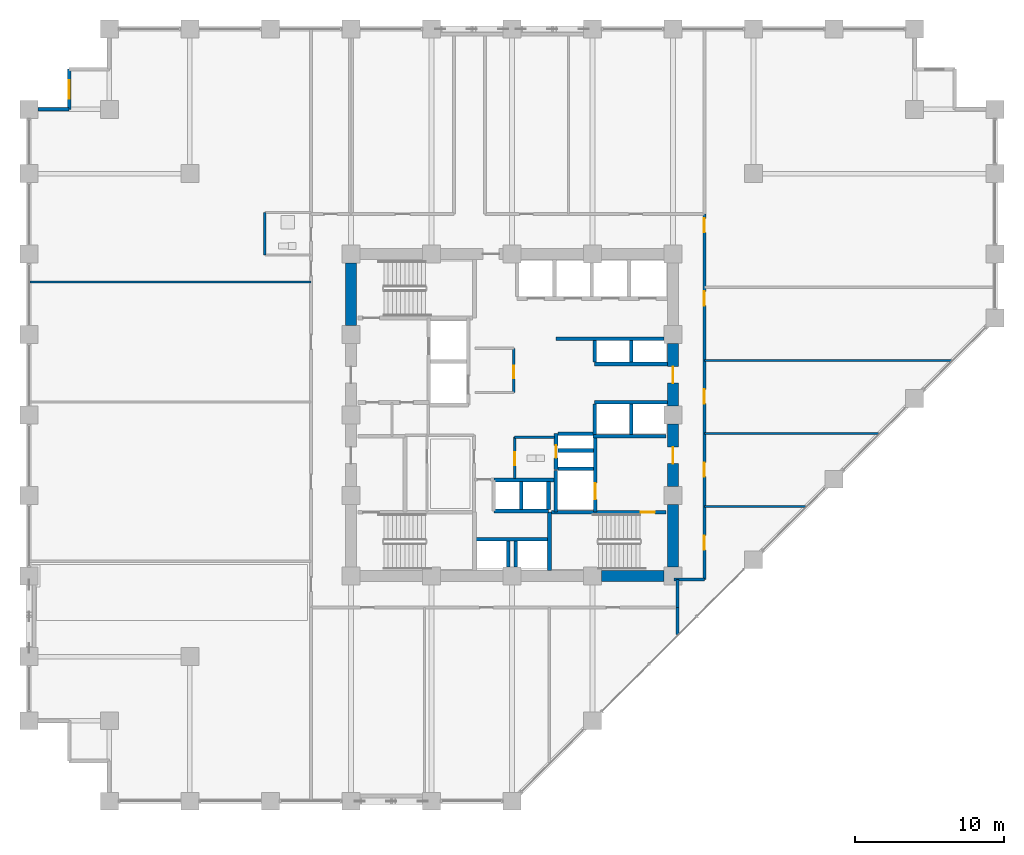
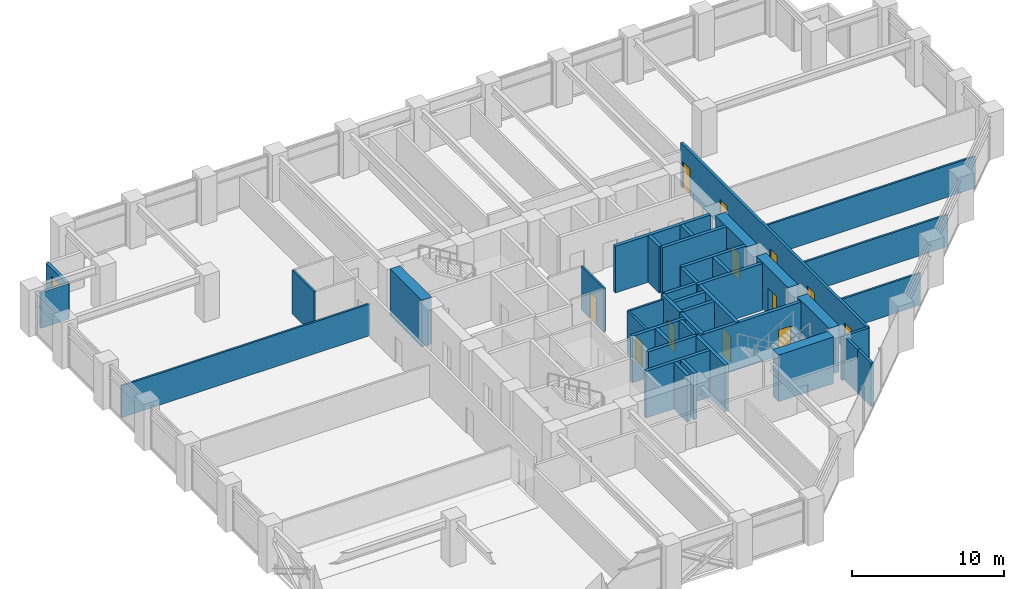
# One storey, part 21 of 26: 42 walls, 12 doors, 1 window, 13 openings.
"""IFC4 building model written with IfcOpenShell, lengths in metres."""

from ifc_helpers import new_model, si_unit, direction, frame, frame_2d, origin, place, context, subcontext, project, spatial, rectangle, extrude, material, layer, layer_set, type_object, element, fill, save


model = new_model("IFC4")

# Units and contexts
model_context = context("Model", 3, precision=1e-05, world=origin(), true_north=direction((0.0, 1.0)))
body_context = subcontext(model_context, "Body", "Model", "MODEL_VIEW")
ifc_project = project(units=[si_unit("LENGTHUNIT", "METRE"), si_unit("AREAUNIT", "SQUARE_METRE"), si_unit("VOLUMEUNIT", "CUBIC_METRE"), si_unit("PLANEANGLEUNIT", "RADIAN"), si_unit("MASSUNIT", "GRAM", prefix="KILO")], contexts=[model_context])

# Site, building, storey
site_placement = place(None, origin())
site = spatial("IfcSite", under=ifc_project, at=site_placement, CompositionType="ELEMENT")
building_placement = place(site_placement, origin())
building = spatial("IfcBuilding", under=site, at=building_placement, Name="Surkhivell Harbour Commons", CompositionType="ELEMENT")
storey_placement = place(building_placement, frame((0.0, 0.0, 75.0)))
storey = spatial("IfcBuildingStorey", under=building, at=storey_placement, Name="L19", CompositionType="ELEMENT", Elevation=75.0)

# Wall
ifc_material_1 = material(Name="Concrete C60/75", Category="concrete")
ifc_layer_1 = layer(ifc_material_1, 0.75)
ifc_layer_set_1 = layer_set([ifc_layer_1], Name="Concrete C60/75")
wall_type_1 = type_object("IfcWallType", Name="WAL-CORE-750", PredefinedType="SHEAR", material=ifc_layer_set_1)
wall_1_placement = place(storey_placement, frame((10.800048828125, -10.18994140625, 0.0), z_axis=(0.0, 0.0, 1.0), x_axis=(0.0, 1.0, 0.0)))
element("IfcWall", 1, at=wall_1_placement, inside=storey, type_object=wall_type_1, Name="L19 Core Shear Wall East 1", PredefinedType="SHEAR", context=body_context, shape_type="SweptSolid", body=[
    extrude(rectangle(XDim=4.179931640625, YDim=0.75, at=frame_2d((2.08984375, 0.0))), origin(), (0.0, 0.0, 1.0), 3.75),
])

# Wall, opening, door
wall_2_placement = place(storey_placement, frame((10.800048828125, -4.7900390625, 0.0), z_axis=(0.0, 0.0, 1.0), x_axis=(0.0, 1.0, 0.0)))
wall_2 = element("IfcWall", 2, at=wall_2_placement, inside=storey, type_object=wall_type_1, Name="L19 Core Shear Wall East 2", PredefinedType="SHEAR", context=body_context, shape_type="SweptSolid", body=[
    extrude(rectangle(XDim=4.179931640625, YDim=0.75, at=frame_2d((2.08984375, 0.0))), origin(), (0.0, 0.0, 1.0), 3.75),
])
opening_1_placement = place(wall_2_placement, frame((1.5400390625, 0.0, 0.0)))
opening_1 = element("IfcOpeningElement", 3, at=opening_1_placement, cuts=wall_2, Name="Opening ID-1", PredefinedType="OPENING", context=body_context, shape_type="SweptSolid", body=[
    extrude(rectangle(XDim=1.10009765625, YDim=2.10009765625, at=frame_2d((0.550048828125, 1.050048828125))), frame((0.0, 0.385009765625, 0.0), z_axis=(0.0, -1.0, 0.0), x_axis=(1.0, 0.0, 0.0)), (0.0, 0.0, 1.0), 0.77001953125),
])
ifc_material_2 = material(Name="Hardwood-veneered fire-rated door leaf", Category="wood")
door_type_1 = type_object("IfcDoorType", Name="DOR-FD120-1100", OperationType="NOTDEFINED", PredefinedType="DOOR", material=ifc_material_2)
door_1_placement = place(opening_1_placement, origin())
door_1 = element("IfcDoor", 4, at=door_1_placement, inside=storey, type_object=door_type_1, Name="L19 Firefighting Lobby 2 Corridor Door", OperationType="SINGLE_SWING_RIGHT", OverallHeight=2.10009765625, OverallWidth=1.10009765625, PredefinedType="DOOR", context=body_context, shape_type="SweptSolid", body=[
    extrude(rectangle(XDim=1.10009765625, YDim=2.10009765625, at=frame_2d((0.550048828125, 1.050048828125))), frame((0.0, 0.02490234375, 0.0), z_axis=(0.0, -1.0, 0.0), x_axis=(1.0, 0.0, 0.0)), (0.0, 0.0, 1.0), 0.050048828125),
])
fill(opening_1, door_1)

wall_3_placement = place(storey_placement, frame((10.800048828125, 0.610107421875, 0.0), z_axis=(0.0, 0.0, 1.0), x_axis=(0.0, 1.0, 0.0)))
wall_3 = element("IfcWall", 5, at=wall_3_placement, inside=storey, type_object=wall_type_1, Name="L19 Core Shear Wall East 3", PredefinedType="SHEAR", context=body_context, shape_type="SweptSolid", body=[
    extrude(rectangle(XDim=4.179931640625, YDim=0.75, at=frame_2d((2.08984375, 0.0))), origin(), (0.0, 0.0, 1.0), 3.75),
])
opening_2_placement = place(wall_3_placement, frame((1.5400390625, 0.0, 0.0)))
opening_2 = element("IfcOpeningElement", 6, at=opening_2_placement, cuts=wall_3, Name="Opening ID-2", PredefinedType="OPENING", context=body_context, shape_type="SweptSolid", body=[
    extrude(rectangle(XDim=1.10009765625, YDim=2.10009765625, at=frame_2d((0.550048828125, 1.050048828125))), frame((0.0, 0.385009765625, 0.0), z_axis=(0.0, -1.0, 0.0), x_axis=(1.0, 0.0, 0.0)), (0.0, 0.0, 1.0), 0.77001953125),
])
door_type_2 = type_object("IfcDoorType", Name="DOR-FD60-1100", OperationType="NOTDEFINED", PredefinedType="DOOR", material=ifc_material_2)
door_2_placement = place(opening_2_placement, origin())
door_2 = element("IfcDoor", 7, at=door_2_placement, inside=storey, type_object=door_type_2, Name="L19 Mid-Rise Lobby East Door", OperationType="SINGLE_SWING_LEFT", OverallHeight=2.10009765625, OverallWidth=1.10009765625, PredefinedType="DOOR", context=body_context, shape_type="SweptSolid", body=[
    extrude(rectangle(XDim=1.10009765625, YDim=2.10009765625, at=frame_2d((0.550048828125, 1.050048828125))), frame((0.0, 0.02490234375, 0.0), z_axis=(0.0, -1.0, 0.0), x_axis=(1.0, 0.0, 0.0)), (0.0, 0.0, 1.0), 0.050048828125),
])
fill(opening_2, door_2)

# Walls
for number, where, z_axis, x_axis, name in (
    (8, (6.010009765625, -10.800048828125, 0.0), (0.0, 0.0, 1.0), (1.0, 0.0, 0.0), "L19 Core Shear Wall South 4"),
    (9, (-10.800048828125, 6.010009765625, 0.0), (0.0, 0.0, 1.0), (0.0, 1.0, 0.0), "L19 Core Shear Wall West 4"),
):
    element("IfcWall", number, at=place(storey_placement, frame(where, z_axis=z_axis, x_axis=x_axis)), inside=storey, type_object=wall_type_1, Name=name, PredefinedType="SHEAR", context=body_context, shape_type="SweptSolid", body=[
        extrude(rectangle(XDim=4.179931640625, YDim=0.75, at=frame_2d((2.08984375, 0.0))), origin(), (0.0, 0.0, 1.0), 3.75),
    ])

# Wall, opening, window
ifc_material_3 = material(Name="Bronze-ochre cassette precast concrete C45/55", Category="concrete")
ifc_layer_2 = layer(ifc_material_3, 0.239990234375)
ifc_layer_set_2 = layer_set([ifc_layer_2], Name="Bronze-ochre cassette precast concrete C45/55")
wall_type_2 = type_object("IfcWallType", Name="WAL-EXT-OCH240", PredefinedType="STANDARD", material=ifc_layer_set_2)
wall_4_placement = place(storey_placement, frame((-29.699951171875, 23.199951171875, 0.0), z_axis=(0.0, 0.0, 1.0), x_axis=(0.0, -1.0, 0.0)))
wall_4 = element("IfcWall", 10, at=wall_4_placement, inside=storey, type_object=wall_type_2, Name="L19 Serrated Corner Facade Wall 10", PredefinedType="STANDARD", context=body_context, shape_type="SweptSolid", body=[
    extrude(rectangle(XDim=2.699951171875, YDim=0.239990234375, at=frame_2d((1.35009765625, 0.0))), origin(), (0.0, 0.0, 1.0), 2.860107421875),
])
opening_3_placement = place(wall_4_placement, frame((0.72509765625, 0.0, 0.64990234375)))
opening_3 = element("IfcOpeningElement", 11, at=opening_3_placement, cuts=wall_4, Name="Opening WN-09", PredefinedType="OPENING", context=body_context, shape_type="SweptSolid", body=[
    extrude(rectangle(XDim=1.25, YDim=1.60009765625, at=frame_2d((0.625, 0.800048828125))), frame((0.0, 0.1298828125, 0.0), z_axis=(0.0, -1.0, 0.0), x_axis=(1.0, 0.0, 0.0)), (0.0, 0.0, 1.0), 0.260009765625),
])
ifc_material_4 = material(Name="Thermal-break aluminium frame and double low-E glazing", Category="aluminium")
window_type = type_object("IfcWindowType", Name="WIN-SER-1250x1600", PartitioningType="SINGLE_PANEL", PredefinedType="WINDOW", material=ifc_material_4)
window_placement = place(opening_3_placement, origin())
window = element("IfcWindow", 12, at=window_placement, inside=storey, type_object=window_type, Name="L19 Serrated Alcove Window 10", OverallHeight=1.60009765625, OverallWidth=1.25, PartitioningType="SINGLE_PANEL", PredefinedType="WINDOW", context=body_context, shape_type="SweptSolid", body=[
    extrude(rectangle(XDim=1.25, YDim=1.60009765625, at=frame_2d((0.625, 0.800048828125))), frame((0.0, 0.030029296875, 0.0), z_axis=(0.0, -1.0, 0.0), x_axis=(1.0, 0.0, 0.0)), (0.0, 0.0, 1.0), 0.06005859375),
])
fill(opening_3, window)

# Walls
wall_5_placement = place(storey_placement, frame((-29.699951171875, 20.5, 0.0), z_axis=(0.0, 0.0, 1.0), x_axis=(-1.0, 0.0, 0.0)))
element("IfcWall", 13, at=wall_5_placement, inside=storey, type_object=wall_type_2, Name="L19 Serrated Corner Facade Wall 11", PredefinedType="STANDARD", context=body_context, shape_type="SweptSolid", body=[
    extrude(rectangle(XDim=2.10205078125, YDim=0.239990234375, at=frame_2d((1.051025390625, 0.0))), origin(), (0.0, 0.0, 1.0), 2.860107421875),
])
ifc_material_5 = material(Name="Twin-stud acoustic fireboard partition", Category="other")
ifc_layer_3 = layer(ifc_material_5, 0.14990234375)
ifc_layer_set_3 = layer_set([ifc_layer_3], Name="Twin-stud acoustic fireboard partition")
wall_type_3 = type_object("IfcWallType", Name="WAL-INT-150", PredefinedType="PARTITIONING", material=ifc_layer_set_3)
wall_6_placement = place(storey_placement, frame((0.179931640625, -1.47998046875, 0.0), z_axis=(0.0, 0.0, 1.0), x_axis=(1.0, 0.0, 0.0)))
element("IfcWall", 14, at=wall_6_placement, inside=storey, type_object=wall_type_3, Name="L19 Core Accessible WC North Wall", PredefinedType="PARTITIONING", context=body_context, shape_type="SweptSolid", body=[
    extrude(rectangle(XDim=2.670166015625, YDim=0.14990234375, at=frame_2d((1.3349609375, 0.0))), origin(), (0.0, 0.0, 1.0), 3.5),
])

# Wall, opening, door
wall_7_placement = place(storey_placement, frame((0.179931640625, -4.25, 0.0), z_axis=(0.0, 0.0, 1.0), x_axis=(0.0, 1.0, 0.0)))
wall_7 = element("IfcWall", 15, at=wall_7_placement, inside=storey, type_object=wall_type_3, Name="L19 Core Accessible WC West Wall", PredefinedType="PARTITIONING", context=body_context, shape_type="SweptSolid", body=[
    extrude(rectangle(XDim=2.77001953125, YDim=0.14990234375, at=frame_2d((1.385009765625, 0.0))), origin(), (0.0, 0.0, 1.0), 3.5),
])
opening_4_placement = place(wall_7_placement, frame((0.89990234375, 0.0, 0.0)))
opening_4 = element("IfcOpeningElement", 16, at=opening_4_placement, cuts=wall_7, Name="Opening ID-6", PredefinedType="OPENING", context=body_context, shape_type="SweptSolid", body=[
    extrude(rectangle(XDim=0.85009765625, YDim=2.10009765625, at=frame_2d((0.425048828125, 1.050048828125))), frame((0.0, 0.0849609375, 0.0), z_axis=(0.0, -1.0, 0.0), x_axis=(1.0, 0.0, 0.0)), (0.0, 0.0, 1.0), 0.169921875),
])
door_type_3 = type_object("IfcDoorType", Name="DOR-FD30-850", OperationType="NOTDEFINED", PredefinedType="DOOR", material=ifc_material_2)
door_3_placement = place(opening_4_placement, origin())
door_3 = element("IfcDoor", 17, at=door_3_placement, inside=storey, type_object=door_type_3, Name="L19 Floor Accessible WC Door", OperationType="SINGLE_SWING_LEFT", OverallHeight=2.10009765625, OverallWidth=0.85009765625, PredefinedType="DOOR", context=body_context, shape_type="SweptSolid", body=[
    extrude(rectangle(XDim=0.85009765625, YDim=2.10009765625, at=frame_2d((0.425048828125, 1.050048828125))), frame((0.0, 0.02490234375, 0.0), z_axis=(0.0, -1.0, 0.0), x_axis=(1.0, 0.0, 0.0)), (0.0, 0.0, 1.0), 0.050048828125),
])
fill(opening_4, door_3)

wall_8_placement = place(storey_placement, frame((0.1201171875, 1.52001953125, 0.0), z_axis=(0.0, 0.0, 1.0), x_axis=(0.0, 1.0, 0.0)))
wall_8 = element("IfcWall", 18, at=wall_8_placement, inside=storey, type_object=wall_type_3, Name="L19 Central Reading East Wall", PredefinedType="PARTITIONING", context=body_context, shape_type="SweptSolid", body=[
    extrude(rectangle(XDim=2.9599609375, YDim=0.14990234375, at=frame_2d((1.47998046875, 0.0))), origin(), (0.0, 0.0, 1.0), 3.5),
])
opening_5_placement = place(wall_8_placement, frame((0.949951171875, 0.0, 0.0)))
opening_5 = element("IfcOpeningElement", 19, at=opening_5_placement, cuts=wall_8, Name="Opening ID-6", PredefinedType="OPENING", context=body_context, shape_type="SweptSolid", body=[
    extrude(rectangle(XDim=0.85009765625, YDim=2.10009765625, at=frame_2d((0.425048828125, 1.050048828125))), frame((0.0, 0.0849609375, 0.0), z_axis=(0.0, -1.0, 0.0), x_axis=(1.0, 0.0, 0.0)), (0.0, 0.0, 1.0), 0.169921875),
])
door_4_placement = place(opening_5_placement, origin())
door_4 = element("IfcDoor", 20, at=door_4_placement, inside=storey, type_object=door_type_3, Name="L19 Central Core Reading Door", OperationType="SINGLE_SWING_RIGHT", OverallHeight=2.10009765625, OverallWidth=0.85009765625, PredefinedType="DOOR", context=body_context, shape_type="SweptSolid", body=[
    extrude(rectangle(XDim=0.85009765625, YDim=2.10009765625, at=frame_2d((0.425048828125, 1.050048828125))), frame((0.0, 0.02490234375, 0.0), z_axis=(0.0, -1.0, 0.0), x_axis=(1.0, 0.0, 0.0)), (0.0, 0.0, 1.0), 0.050048828125),
])
fill(opening_5, door_4)

# Walls
wall_9_placement = place(storey_placement, frame((12.89990234375, -6.139892578125, 0.0), z_axis=(0.0, 0.0, 1.0), x_axis=(1.0, 0.0, 0.0)))
element("IfcWall", 21, at=wall_9_placement, inside=storey, type_object=wall_type_3, Name="L19 East Partition P1", PredefinedType="PARTITIONING", context=body_context, shape_type="SweptSolid", body=[
    extrude(rectangle(XDim=6.775146484375, YDim=0.14990234375, at=frame_2d((3.3876953125, 0.0))), origin(), (0.0, 0.0, 1.0), 2.552978515625),
])
wall_10_placement = place(storey_placement, frame((12.89990234375, -1.22998046875, 0.0), z_axis=(0.0, 0.0, 1.0), x_axis=(1.0, 0.0, 0.0)))
element("IfcWall", 22, at=wall_10_placement, inside=storey, type_object=wall_type_3, Name="L19 East Partition P2", PredefinedType="PARTITIONING", context=body_context, shape_type="SweptSolid", body=[
    extrude(rectangle(XDim=11.685302734375, YDim=0.14990234375, at=frame_2d((5.8427734375, 0.0))), origin(), (0.0, 0.0, 1.0), 2.552978515625),
])
wall_11_placement = place(storey_placement, frame((12.89990234375, 3.669921875, 0.0), z_axis=(0.0, 0.0, 1.0), x_axis=(1.0, 0.0, 0.0)))
element("IfcWall", 23, at=wall_11_placement, inside=storey, type_object=wall_type_3, Name="L19 East Partition P3", PredefinedType="PARTITIONING", context=body_context, shape_type="SweptSolid", body=[
    extrude(rectangle(XDim=16.585205078125, YDim=0.14990234375, at=frame_2d((8.29248046875, 0.0))), origin(), (0.0, 0.0, 1.0), 2.552978515625),
])
wall_12_placement = place(storey_placement, frame((-16.580078125, 10.72998046875, 0.0), z_axis=(0.0, 0.0, 1.0), x_axis=(0.0, 1.0, 0.0)))
element("IfcWall", 24, at=wall_12_placement, inside=storey, type_object=wall_type_3, Name="L19 West Partition BTHB", PredefinedType="PARTITIONING", context=body_context, shape_type="SweptSolid", body=[
    extrude(rectangle(XDim=2.85009765625, YDim=0.14990234375, at=frame_2d((1.425048828125, 0.0))), origin(), (0.0, 0.0, 1.0), 3.5),
])
wall_13_placement = place(storey_placement, frame((-32.340087890625, 8.929931640625, 0.0), z_axis=(0.0, 0.0, 1.0), x_axis=(1.0, 0.0, 0.0)))
element("IfcWall", 25, at=wall_13_placement, inside=storey, type_object=wall_type_3, Name="L19 West Partition PTOP", PredefinedType="PARTITIONING", context=body_context, shape_type="SweptSolid", body=[
    extrude(rectangle(XDim=18.860107421875, YDim=0.14990234375, at=frame_2d((9.43017578125, 0.0))), origin(), (0.0, 0.0, 1.0), 2.552978515625),
])
ifc_material_6 = material(Name="Autoclaved aerated concrete blockwork and fire plaster", Category="masonry")
ifc_layer_4 = layer(ifc_material_6, 0.199951171875)
ifc_layer_set_4 = layer_set([ifc_layer_4], Name="Autoclaved aerated concrete blockwork and fire plaster")
wall_type_4 = type_object("IfcWallType", Name="WAL-INT-200", PredefinedType="PARTITIONING", material=ifc_layer_set_4)
wall_14_placement = place(storey_placement, frame((11.10009765625, -14.715087890625, 0.0), z_axis=(0.0, 0.0, 1.0), x_axis=(0.0, 1.0, 0.0)))
element("IfcWall", 26, at=wall_14_placement, inside=storey, type_object=wall_type_4, Name="L19 South-East Wing Corner Divider", PredefinedType="PARTITIONING", context=body_context, shape_type="SweptSolid", body=[
    extrude(rectangle(XDim=1.815185546875, YDim=0.199951171875, at=frame_2d((0.90771484375, 0.0))), origin(), (0.0, 0.0, 1.0), 3.5),
])

# Wall, openings, doors
wall_15_placement = place(storey_placement, frame((12.89990234375, -11.0400390625, 0.0), z_axis=(0.0, 0.0, 1.0), x_axis=(0.0, 1.0, 0.0)))
wall_15 = element("IfcWall", 27, at=wall_15_placement, inside=storey, type_object=wall_type_4, Name="L19 Corridor East Wall", PredefinedType="PARTITIONING", context=body_context, shape_type="SweptSolid", body=[
    extrude(rectangle(XDim=24.52001953125, YDim=0.199951171875, at=frame_2d((12.260009765625, 0.0))), origin(), (0.0, 0.0, 1.0), 3.5),
])
opening_6_placement = place(wall_15_placement, frame((2.0, 0.0, 0.0)))
opening_6 = element("IfcOpeningElement", 28, at=opening_6_placement, cuts=wall_15, Name="Opening ID-4", PredefinedType="OPENING", context=body_context, shape_type="SweptSolid", body=[
    extrude(rectangle(XDim=0.949951171875, YDim=2.10009765625, at=frame_2d((0.47509765625, 1.050048828125))), frame((0.0, 0.10986328125, 0.0), z_axis=(0.0, -1.0, 0.0), x_axis=(1.0, 0.0, 0.0)), (0.0, 0.0, 1.0), 0.219970703125),
])
opening_7_placement = place(wall_15_placement, frame((6.905029296875, 0.0, 0.0)))
opening_7 = element("IfcOpeningElement", 29, at=opening_7_placement, cuts=wall_15, Name="Opening ID-4", PredefinedType="OPENING", context=body_context, shape_type="SweptSolid", body=[
    extrude(rectangle(XDim=0.949951171875, YDim=2.10009765625, at=frame_2d((0.47509765625, 1.050048828125))), frame((0.0, 0.10986328125, 0.0), z_axis=(0.0, -1.0, 0.0), x_axis=(1.0, 0.0, 0.0)), (0.0, 0.0, 1.0), 0.219970703125),
])
opening_8_placement = place(wall_15_placement, frame((11.81005859375, 0.0, 0.0)))
opening_8 = element("IfcOpeningElement", 30, at=opening_8_placement, cuts=wall_15, Name="Opening ID-4", PredefinedType="OPENING", context=body_context, shape_type="SweptSolid", body=[
    extrude(rectangle(XDim=0.949951171875, YDim=2.10009765625, at=frame_2d((0.47509765625, 1.050048828125))), frame((0.0, 0.10986328125, 0.0), z_axis=(0.0, -1.0, 0.0), x_axis=(1.0, 0.0, 0.0)), (0.0, 0.0, 1.0), 0.219970703125),
])
opening_9_placement = place(wall_15_placement, frame((18.389892578125, 0.0, 0.0)))
opening_9 = element("IfcOpeningElement", 31, at=opening_9_placement, cuts=wall_15, Name="Opening ID-4", PredefinedType="OPENING", context=body_context, shape_type="SweptSolid", body=[
    extrude(rectangle(XDim=0.949951171875, YDim=2.10009765625, at=frame_2d((0.47509765625, 1.050048828125))), frame((0.0, 0.10986328125, 0.0), z_axis=(0.0, -1.0, 0.0), x_axis=(1.0, 0.0, 0.0)), (0.0, 0.0, 1.0), 0.219970703125),
])
opening_10_placement = place(wall_15_placement, frame((23.2900390625, 0.0, 0.0)))
opening_10 = element("IfcOpeningElement", 32, at=opening_10_placement, cuts=wall_15, Name="Opening ID-4", PredefinedType="OPENING", context=body_context, shape_type="SweptSolid", body=[
    extrude(rectangle(XDim=0.949951171875, YDim=2.10009765625, at=frame_2d((0.47509765625, 1.050048828125))), frame((0.0, 0.10986328125, 0.0), z_axis=(0.0, -1.0, 0.0), x_axis=(1.0, 0.0, 0.0)), (0.0, 0.0, 1.0), 0.219970703125),
])
door_type_4 = type_object("IfcDoorType", Name="DOR-FD60-950", OperationType="NOTDEFINED", PredefinedType="DOOR", material=ifc_material_2)
door_5_placement = place(opening_6_placement, origin())
door_5 = element("IfcDoor", 33, at=door_5_placement, inside=storey, type_object=door_type_4, Name="L19 Co-Working Study Office Pod 1 East Door", OperationType="SINGLE_SWING_RIGHT", OverallHeight=2.10009765625, OverallWidth=0.949951171875, PredefinedType="DOOR", context=body_context, shape_type="SweptSolid", body=[
    extrude(rectangle(XDim=0.949951171875, YDim=2.10009765625, at=frame_2d((0.47509765625, 1.050048828125))), frame((0.0, 0.02490234375, 0.0), z_axis=(0.0, -1.0, 0.0), x_axis=(1.0, 0.0, 0.0)), (0.0, 0.0, 1.0), 0.050048828125),
])
fill(opening_6, door_5)
door_6_placement = place(opening_7_placement, origin())
door_6 = element("IfcDoor", 34, at=door_6_placement, inside=storey, type_object=door_type_4, Name="L19 Academic Seminar Pod 2 East Door", OperationType="SINGLE_SWING_LEFT", OverallHeight=2.10009765625, OverallWidth=0.949951171875, PredefinedType="DOOR", context=body_context, shape_type="SweptSolid", body=[
    extrude(rectangle(XDim=0.949951171875, YDim=2.10009765625, at=frame_2d((0.47509765625, 1.050048828125))), frame((0.0, 0.02490234375, 0.0), z_axis=(0.0, -1.0, 0.0), x_axis=(1.0, 0.0, 0.0)), (0.0, 0.0, 1.0), 0.050048828125),
])
fill(opening_7, door_6)
door_7_placement = place(opening_8_placement, origin())
door_7 = element("IfcDoor", 35, at=door_7_placement, inside=storey, type_object=door_type_4, Name="L19 Harbour Espresso Cafe Shop 3 East Door", OperationType="SINGLE_SWING_RIGHT", OverallHeight=2.10009765625, OverallWidth=0.949951171875, PredefinedType="DOOR", context=body_context, shape_type="SweptSolid", body=[
    extrude(rectangle(XDim=0.949951171875, YDim=2.10009765625, at=frame_2d((0.47509765625, 1.050048828125))), frame((0.0, 0.02490234375, 0.0), z_axis=(0.0, -1.0, 0.0), x_axis=(1.0, 0.0, 0.0)), (0.0, 0.0, 1.0), 0.050048828125),
])
fill(opening_8, door_7)
door_8_placement = place(opening_9_placement, origin())
door_8 = element("IfcDoor", 36, at=door_8_placement, inside=storey, type_object=door_type_4, Name="L19 Zone Concierge Reception Foyer 4 East Door", OperationType="SINGLE_SWING_LEFT", OverallHeight=2.10009765625, OverallWidth=0.949951171875, PredefinedType="DOOR", context=body_context, shape_type="SweptSolid", body=[
    extrude(rectangle(XDim=0.949951171875, YDim=2.10009765625, at=frame_2d((0.47509765625, 1.050048828125))), frame((0.0, 0.02490234375, 0.0), z_axis=(0.0, -1.0, 0.0), x_axis=(1.0, 0.0, 0.0)), (0.0, 0.0, 1.0), 0.050048828125),
])
fill(opening_9, door_8)
door_9_placement = place(opening_10_placement, origin())
door_9 = element("IfcDoor", 37, at=door_9_placement, inside=storey, type_object=door_type_4, Name="L19 Shared Communal Kitchen 5 East Door", OperationType="SINGLE_SWING_RIGHT", OverallHeight=2.10009765625, OverallWidth=0.949951171875, PredefinedType="DOOR", context=body_context, shape_type="SweptSolid", body=[
    extrude(rectangle(XDim=0.949951171875, YDim=2.10009765625, at=frame_2d((0.47509765625, 1.050048828125))), frame((0.0, 0.02490234375, 0.0), z_axis=(0.0, -1.0, 0.0), x_axis=(1.0, 0.0, 0.0)), (0.0, 0.0, 1.0), 0.050048828125),
])
fill(opening_10, door_9)

# Walls
wall_16_placement = place(storey_placement, frame((10.85009765625, -11.0400390625, 0.0), z_axis=(0.0, 0.0, 1.0), x_axis=(1.0, 0.0, 0.0)))
element("IfcWall", 38, at=wall_16_placement, inside=storey, type_object=wall_type_4, Name="L19 Corridor East South Closure Wall", PredefinedType="PARTITIONING", context=body_context, shape_type="SweptSolid", body=[
    extrude(rectangle(XDim=2.0498046875, YDim=0.199951171875, at=frame_2d((1.02490234375, 0.0))), origin(), (0.0, 0.0, 1.0), 3.5),
])
wall_17_placement = place(storey_placement, frame((11.10009765625, -12.89990234375, 0.0), z_axis=(0.0, 0.0, 1.0), x_axis=(0.0, 1.0, 0.0)))
element("IfcWall", 39, at=wall_17_placement, inside=storey, type_object=wall_type_4, Name="L19 Corridor SE Closure Wall", PredefinedType="PARTITIONING", context=body_context, shape_type="SweptSolid", body=[
    extrude(rectangle(XDim=1.85986328125, YDim=0.199951171875, at=frame_2d((0.929931640625, 0.0))), origin(), (0.0, 0.0, 1.0), 3.5),
])
ifc_material_7 = material(Name="Concrete C50/60", Category="concrete")
ifc_layer_5 = layer(ifc_material_7, 0.25)
ifc_layer_set_5 = layer_set([ifc_layer_5], Name="Concrete C50/60")
wall_type_5 = type_object("IfcWallType", Name="WAL-SHAFT-250", PredefinedType="SHEAR", material=ifc_layer_set_5)
wall_18_placement = place(storey_placement, frame((2.929931640625, -6.510009765625, 0.0), z_axis=(0.0, 0.0, 1.0), x_axis=(0.0, 1.0, 0.0)))
element("IfcWall", 40, at=wall_18_placement, inside=storey, type_object=wall_type_5, Name="L19 FFL2 West Shaft Wall", PredefinedType="SHEAR", context=body_context, shape_type="SweptSolid", body=[
    extrude(rectangle(XDim=2.7900390625, YDim=0.25, at=frame_2d((1.39501953125, 0.0))), origin(), (0.0, 0.0, 1.0), 3.75),
])
wall_19_placement = place(storey_placement, frame((5.43994140625, -1.419921875, 0.0), z_axis=(0.0, 0.0, 1.0), x_axis=(1.0, 0.0, 0.0)))
element("IfcWall", 41, at=wall_19_placement, inside=storey, type_object=wall_type_5, Name="L19 Firefighting Lobby 2 North Wall", PredefinedType="SHEAR", context=body_context, shape_type="SweptSolid", body=[
    extrude(rectangle(XDim=4.900146484375, YDim=0.25, at=frame_2d((2.4501953125, 0.0))), origin(), (0.0, 0.0, 1.0), 3.75),
])
wall_20_placement = place(storey_placement, frame((3.080078125, -3.60009765625, 0.0), z_axis=(0.0, 0.0, 1.0), x_axis=(1.0, 0.0, 0.0)))
element("IfcWall", 42, at=wall_20_placement, inside=storey, type_object=wall_type_5, Name="L19 FFL2 North Shaft Wall", PredefinedType="SHEAR", context=body_context, shape_type="SweptSolid", body=[
    extrude(rectangle(XDim=2.369873046875, YDim=0.25, at=frame_2d((1.18505859375, 0.0))), origin(), (0.0, 0.0, 1.0), 3.75),
])

# Wall, opening, door
wall_21_placement = place(storey_placement, frame((5.580078125, -6.510009765625, 0.0), z_axis=(0.0, 0.0, 1.0), x_axis=(0.0, 1.0, 0.0)))
wall_21 = element("IfcWall", 43, at=wall_21_placement, inside=storey, type_object=wall_type_5, Name="L19 Firefighting Lobby 2 West Shaft Wall", PredefinedType="SHEAR", context=body_context, shape_type="SweptSolid", body=[
    extrude(rectangle(XDim=5.090087890625, YDim=0.25, at=frame_2d((2.544921875, 0.0))), origin(), (0.0, 0.0, 1.0), 3.75),
])
opening_11_placement = place(wall_21_placement, frame((0.85009765625, 0.0, 0.0)))
opening_11 = element("IfcOpeningElement", 44, at=opening_11_placement, cuts=wall_21, Name="Opening LD-1", PredefinedType="OPENING", context=body_context, shape_type="SweptSolid", body=[
    extrude(rectangle(XDim=1.10009765625, YDim=2.10009765625, at=frame_2d((0.550048828125, 1.050048828125))), frame((0.0, 0.135009765625, 0.0), z_axis=(0.0, -1.0, 0.0), x_axis=(1.0, 0.0, 0.0)), (0.0, 0.0, 1.0), 0.27001953125),
])
ifc_material_8 = material(Name="Brushed stainless steel S355", Category="steel")
door_type_5 = type_object("IfcDoorType", Name="DOR-LD-1100", OperationType="SLIDING_TO_LEFT", PredefinedType="DOOR", material=ifc_material_8)
door_10_placement = place(opening_11_placement, origin())
door_10 = element("IfcDoor", 45, at=door_10_placement, inside=storey, type_object=door_type_5, Name="L19 Lift Landing Door LD-FFL2", OperationType="SLIDING_TO_RIGHT", OverallHeight=2.10009765625, OverallWidth=1.10009765625, PredefinedType="DOOR", context=body_context, shape_type="SweptSolid", body=[
    extrude(rectangle(XDim=1.10009765625, YDim=2.10009765625, at=frame_2d((0.550048828125, 1.050048828125))), frame((0.0, 0.02490234375, 0.0), z_axis=(0.0, -1.0, 0.0), x_axis=(1.0, 0.0, 0.0)), (0.0, 0.0, 1.0), 0.050048828125),
])
fill(opening_11, door_10)

# Walls
for number, where, z_axis, x_axis, name in (
    (46, (0.6201171875, -6.340087890625, 0.0), (0.0, 0.0, 1.0), (0.0, 1.0, 0.0), "L19 High-Rise Side Wall N"),
    (47, (2.449951171875, -6.340087890625, 0.0), (0.0, 0.0, 1.0), (0.0, 1.0, 0.0), "L19 High-Rise Side Wall N"),
):
    element("IfcWall", number, at=place(storey_placement, frame(where, z_axis=z_axis, x_axis=x_axis)), inside=storey, type_object=wall_type_5, Name=name, PredefinedType="SHEAR", context=body_context, shape_type="SweptSolid", body=[
        extrude(rectangle(XDim=1.880126953125, YDim=0.25, at=frame_2d((0.93994140625, 0.0))), origin(), (0.0, 0.0, 1.0), 3.75),
    ])
for number, where, z_axis, x_axis, name in (
    (48, (-0.25, -10.199951171875, 0.0), (0.0, 0.0, 1.0), (0.0, 1.0, 0.0), "L19 High-Rise Side Wall S"),
    (49, (0.25, -10.199951171875, 0.0), (0.0, 0.0, 1.0), (0.0, 1.0, 0.0), "L19 High-Rise Side Wall S"),
):
    element("IfcWall", number, at=place(storey_placement, frame(where, z_axis=z_axis, x_axis=x_axis)), inside=storey, type_object=wall_type_5, Name=name, PredefinedType="SHEAR", context=body_context, shape_type="SweptSolid", body=[
        extrude(rectangle(XDim=1.760009765625, YDim=0.25, at=frame_2d((0.8798828125, 0.0))), origin(), (0.0, 0.0, 1.0), 3.75),
    ])
wall_22_placement = place(storey_placement, frame((-1.219970703125, -6.43994140625, 0.0), z_axis=(0.0, 0.0, 1.0), x_axis=(1.0, 0.0, 0.0)))
element("IfcWall", 50, at=wall_22_placement, inside=storey, type_object=wall_type_5, Name="L19 High-Rise North Front Shaft Wall", PredefinedType="SHEAR", context=body_context, shape_type="SweptSolid", body=[
    extrude(rectangle(XDim=3.669921875, YDim=0.25, at=frame_2d((1.8349609375, 0.0))), origin(), (0.0, 0.0, 1.0), 3.75),
])
wall_23_placement = place(storey_placement, frame((-2.47998046875, -8.320068359375, 0.0), z_axis=(0.0, 0.0, 1.0), x_axis=(1.0, 0.0, 0.0)))
element("IfcWall", 51, at=wall_23_placement, inside=storey, type_object=wall_type_5, Name="L19 High-Rise South Front Shaft Wall", PredefinedType="SHEAR", context=body_context, shape_type="SweptSolid", body=[
    extrude(rectangle(XDim=4.929931640625, YDim=0.25, at=frame_2d((2.46484375, 0.0))), origin(), (0.0, 0.0, 1.0), 3.75),
])
wall_24_placement = place(storey_placement, frame((-1.219970703125, -4.360107421875, 0.0), z_axis=(0.0, 0.0, 1.0), x_axis=(1.0, 0.0, 0.0)))
element("IfcWall", 52, at=wall_24_placement, inside=storey, type_object=wall_type_5, Name="L19 High-Rise North Back Shaft Wall", PredefinedType="SHEAR", context=body_context, shape_type="SweptSolid", body=[
    extrude(rectangle(XDim=4.030029296875, YDim=0.25, at=frame_2d((2.01513671875, 0.0))), origin(), (0.0, 0.0, 1.0), 3.75),
])
wall_25_placement = place(storey_placement, frame((2.949951171875, 5.1201171875, 0.0), z_axis=(0.0, 0.0, 1.0), x_axis=(1.0, 0.0, 0.0)))
element("IfcWall", 53, at=wall_25_placement, inside=storey, type_object=wall_type_5, Name="L19 Low-Rise Lobby South Wall", PredefinedType="SHEAR", context=body_context, shape_type="SweptSolid", body=[
    extrude(rectangle(XDim=7.25, YDim=0.25, at=frame_2d((3.625, 0.0))), origin(), (0.0, 0.0, 1.0), 3.75),
])
for number, where, z_axis, x_axis, name in (
    (54, (5.550048828125, 3.550048828125, 0.0), (0.0, 0.0, 1.0), (0.0, 1.0, 0.0), "L19 Mid-Rise Shaft Side Wall N"),
    (55, (8.0, 3.550048828125, 0.0), (0.0, 0.0, 1.0), (0.0, 1.0, 0.0), "L19 Mid-Rise Shaft Side Wall N"),
):
    element("IfcWall", number, at=place(storey_placement, frame(where, z_axis=z_axis, x_axis=x_axis)), inside=storey, type_object=wall_type_5, Name=name, PredefinedType="SHEAR", context=body_context, shape_type="SweptSolid", body=[
        extrude(rectangle(XDim=1.449951171875, YDim=0.25, at=frame_2d((0.72509765625, 0.0))), origin(), (0.0, 0.0, 1.0), 3.75),
    ])
for number, where, z_axis, x_axis, name in (
    (56, (5.550048828125, -1.300048828125, 0.0), (0.0, 0.0, 1.0), (0.0, 1.0, 0.0), "L19 Mid-Rise Shaft Side Wall S"),
    (57, (8.0, -1.300048828125, 0.0), (0.0, 0.0, 1.0), (0.0, 1.0, 0.0), "L19 Mid-Rise Shaft Side Wall S"),
):
    element("IfcWall", number, at=place(storey_placement, frame(where, z_axis=z_axis, x_axis=x_axis)), inside=storey, type_object=wall_type_5, Name=name, PredefinedType="SHEAR", context=body_context, shape_type="SweptSolid", body=[
        extrude(rectangle(XDim=2.0400390625, YDim=0.25, at=frame_2d((1.02001953125, 0.0))), origin(), (0.0, 0.0, 1.0), 3.75),
    ])
for number, where, z_axis, x_axis, name in (
    (58, (5.550048828125, 3.429931640625, 0.0), (0.0, 0.0, 1.0), (1.0, 0.0, 0.0), "L19 Mid-Rise North Front Shaft Wall"),
    (59, (5.550048828125, 0.8701171875, 0.0), (0.0, 0.0, 1.0), (1.0, 0.0, 0.0), "L19 Mid-Rise South Front Shaft Wall"),
):
    element("IfcWall", number, at=place(storey_placement, frame(where, z_axis=z_axis, x_axis=x_axis)), inside=storey, type_object=wall_type_5, Name=name, PredefinedType="SHEAR", context=body_context, shape_type="SweptSolid", body=[
        extrude(rectangle(XDim=4.875, YDim=0.25, at=frame_2d((2.4375, 0.0))), origin(), (0.0, 0.0, 1.0), 3.75),
    ])
for number, where, z_axis, x_axis, name in (
    (60, (3.080078125, -2.3798828125, 0.0), (0.0, 0.0, 1.0), (1.0, 0.0, 0.0), "L19 Riser Divider Wall"),
    (61, (3.080078125, -1.25, 0.0), (0.0, 0.0, 1.0), (1.0, 0.0, 0.0), "L19 Riser North Wall"),
):
    element("IfcWall", number, at=place(storey_placement, frame(where, z_axis=z_axis, x_axis=x_axis)), inside=storey, type_object=wall_type_5, Name=name, PredefinedType="SHEAR", context=body_context, shape_type="SweptSolid", body=[
        extrude(rectangle(XDim=2.369873046875, YDim=0.25, at=frame_2d((1.18505859375, 0.0))), origin(), (0.0, 0.0, 1.0), 3.75),
    ])

# Wall, opening, door
wall_26_placement = place(storey_placement, frame((2.949951171875, -3.64990234375, 0.0), z_axis=(0.0, 0.0, 1.0), x_axis=(0.0, 1.0, 0.0)))
wall_26 = element("IfcWall", 62, at=wall_26_placement, inside=storey, type_object=wall_type_5, Name="L19 Riser Shaft West Wall", PredefinedType="SHEAR", context=body_context, shape_type="SweptSolid", body=[
    extrude(rectangle(XDim=2.39990234375, YDim=0.25, at=frame_2d((1.199951171875, 0.0))), origin(), (0.0, 0.0, 1.0), 3.75),
])
opening_12_placement = place(wall_26_placement, frame((0.77490234375, 0.0, 0.0)))
opening_12 = element("IfcOpeningElement", 63, at=opening_12_placement, cuts=wall_26, Name="Opening ID-6", PredefinedType="OPENING", context=body_context, shape_type="SweptSolid", body=[
    extrude(rectangle(XDim=0.85009765625, YDim=2.10009765625, at=frame_2d((0.425048828125, 1.050048828125))), frame((0.0, 0.135009765625, 0.0), z_axis=(0.0, -1.0, 0.0), x_axis=(1.0, 0.0, 0.0)), (0.0, 0.0, 1.0), 0.27001953125),
])
door_11_placement = place(opening_12_placement, origin())
door_11 = element("IfcDoor", 64, at=door_11_placement, inside=storey, type_object=door_type_3, Name="L19 Electrical Riser Access Door", OperationType="SINGLE_SWING_LEFT", OverallHeight=2.10009765625, OverallWidth=0.85009765625, PredefinedType="DOOR", context=body_context, shape_type="SweptSolid", body=[
    extrude(rectangle(XDim=0.85009765625, YDim=2.10009765625, at=frame_2d((0.425048828125, 1.050048828125))), frame((0.0, 0.02490234375, 0.0), z_axis=(0.0, -1.0, 0.0), x_axis=(1.0, 0.0, 0.0)), (0.0, 0.0, 1.0), 0.050048828125),
])
fill(opening_12, door_11)

wall_27_placement = place(storey_placement, frame((2.639892578125, -6.510009765625, 0.0), z_axis=(0.0, 0.0, 1.0), x_axis=(1.0, 0.0, 0.0)))
wall_27 = element("IfcWall", 65, at=wall_27_placement, inside=storey, type_object=wall_type_5, Name="L19 Stair ST2 North Shear Wall", PredefinedType="SHEAR", context=body_context, shape_type="SweptSolid", body=[
    extrude(rectangle(XDim=7.7001953125, YDim=0.25, at=frame_2d((3.85009765625, 0.0))), origin(), (0.0, 0.0, 1.0), 3.75),
])
opening_13_placement = place(wall_27_placement, frame((6.0, 0.0, 0.0)))
opening_13 = element("IfcOpeningElement", 66, at=opening_13_placement, cuts=wall_27, Name="Opening ID-4", PredefinedType="OPENING", context=body_context, shape_type="SweptSolid", body=[
    extrude(rectangle(XDim=0.949951171875, YDim=2.10009765625, at=frame_2d((0.47509765625, 1.050048828125))), frame((0.0, 0.135009765625, 0.0), z_axis=(0.0, -1.0, 0.0), x_axis=(1.0, 0.0, 0.0)), (0.0, 0.0, 1.0), 0.27001953125),
])
door_12_placement = place(opening_13_placement, origin())
door_12 = element("IfcDoor", 67, at=door_12_placement, inside=storey, type_object=door_type_4, Name="L19 Stair ST2 Exit Door", OperationType="SINGLE_SWING_RIGHT", OverallHeight=2.10009765625, OverallWidth=0.949951171875, PredefinedType="DOOR", context=body_context, shape_type="SweptSolid", body=[
    extrude(rectangle(XDim=0.949951171875, YDim=2.10009765625, at=frame_2d((0.47509765625, 1.050048828125))), frame((0.0, 0.02490234375, 0.0), z_axis=(0.0, -1.0, 0.0), x_axis=(1.0, 0.0, 0.0)), (0.0, 0.0, 1.0), 0.050048828125),
])
fill(opening_13, door_12)

# Wall
wall_28_placement = place(storey_placement, frame((2.510009765625, -10.425048828125, 0.0), z_axis=(0.0, 0.0, 1.0), x_axis=(0.0, 1.0, 0.0)))
element("IfcWall", 68, at=wall_28_placement, inside=storey, type_object=wall_type_5, Name="L19 Stair ST2 West Shear Wall", PredefinedType="SHEAR", context=body_context, shape_type="SweptSolid", body=[
    extrude(rectangle(XDim=3.9150390625, YDim=0.25, at=frame_2d((1.95751953125, 0.0))), origin(), (0.0, 0.0, 1.0), 3.75),
])

save(model, "model.ifc")
